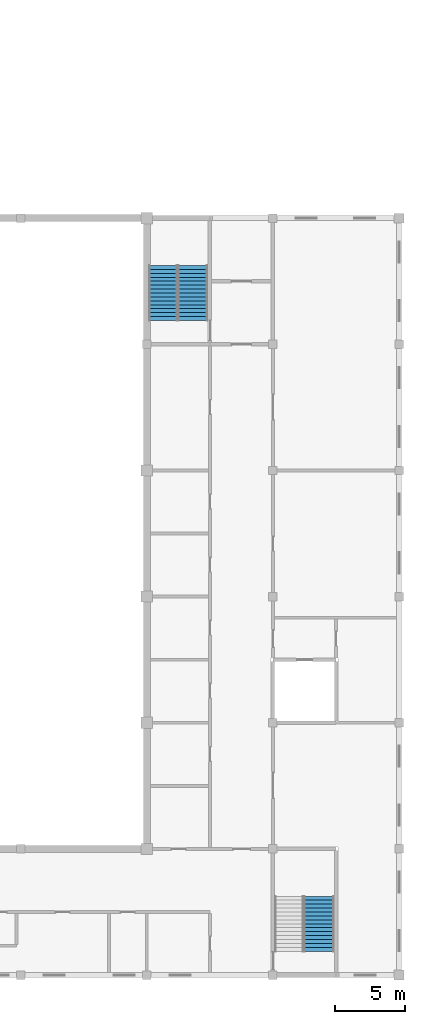
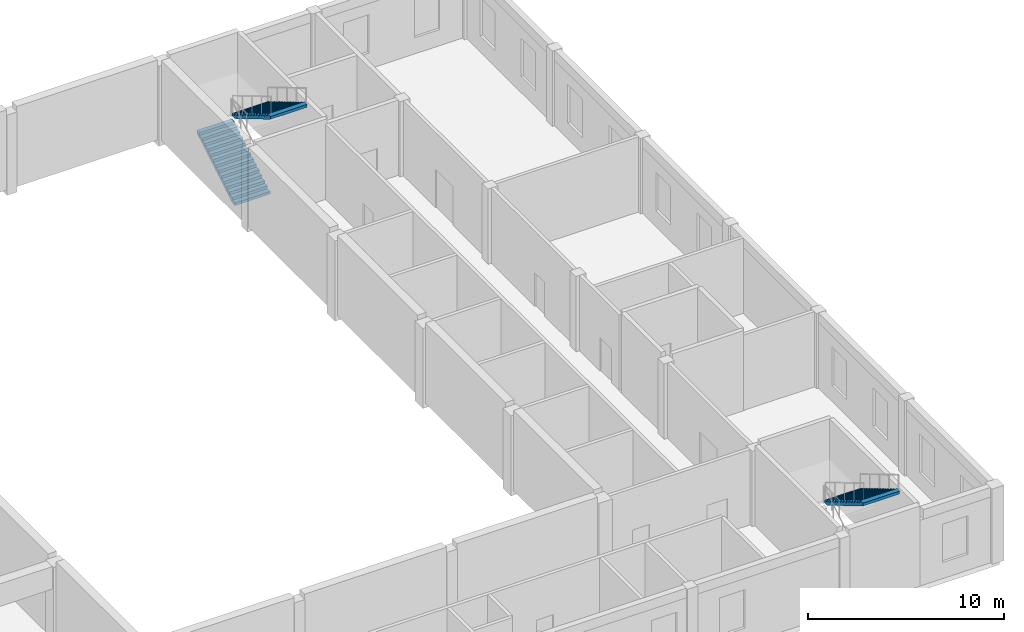
# One storey, part 25 of 30: 3 stair flights, 2 elements without a shape of their own.
"""IFC4 building model written with IfcOpenShell, lengths in metres."""

from ifc_helpers import new_model, si_unit, direction, frame, origin, place, context, subcontext, project, spatial, polyline, outline, extrude, material, layer, layer_set, type_object, element, aggregate, save


model = new_model("IFC4")

# Units and contexts
model_context = context("Model", 3, precision=1e-05, world=origin(), true_north=direction((0.0, 1.0)))
body_context = subcontext(model_context, "Body", "Model", "MODEL_VIEW")
ifc_project = project(units=[si_unit("LENGTHUNIT", "METRE"), si_unit("AREAUNIT", "SQUARE_METRE"), si_unit("VOLUMEUNIT", "CUBIC_METRE"), si_unit("PLANEANGLEUNIT", "RADIAN"), si_unit("MASSUNIT", "GRAM", prefix="KILO")], contexts=[model_context])

# Site, building, storey
site_placement = place(None, origin())
site = spatial("IfcSite", under=ifc_project, at=site_placement, CompositionType="ELEMENT")
building_placement = place(site_placement, origin())
building = spatial("IfcBuilding", under=site, at=building_placement, Name="Firuza Court", CompositionType="ELEMENT")
storey_placement = place(building_placement, frame((0.0, 0.0, 9.0)))
storey = spatial("IfcBuildingStorey", under=building, at=storey_placement, Name="L01", CompositionType="ELEMENT", Elevation=9.0)

# Stair, stair flight
ifc_material_1 = material(Name="Concrete C40/50", Category="concrete")
stair_type = type_object("IfcStairType", Name="HALL STAIR", PredefinedType="NOTDEFINED", material=ifc_material_1)
stair_1_placement = place(storey_placement, origin())
stair_1 = element("IfcStair", 1, at=stair_1_placement, inside=storey, type_object=stair_type, Name="Stair H2 L01", PredefinedType="NOTDEFINED")
ifc_material_2 = material(Name="Concrete C40/50", Category="concrete")
ifc_layer = layer(ifc_material_2, 0.14990234375)
ifc_layer_set = layer_set([ifc_layer], Name="Concrete C40/50")
stair_flight_type = type_object("IfcStairFlightType", Name="HALL STAIR FLIGHT", PredefinedType="STRAIGHT", material=ifc_layer_set)
stair_flight_1_placement = place(storey_placement, frame((147.28759765625, -3.3798828125, 2.5), z_axis=(0.0, 0.0, 1.0), x_axis=(0.0, -1.0, 0.0)))
stair_flight_1 = element("IfcStairFlight", 2, at=stair_flight_1_placement, type_object=stair_flight_type, Name="HS-2 flight 2", NumberOfRisers=15, NumberOfTreads=14, PredefinedType="STRAIGHT", RiserHeight=0.166666667, TreadLength=0.28, context=body_context, shape_type="SweptSolid", body=[
    extrude(outline(polyline([(0.0, 0.0), (0.0, 0.166748046875), (0.280029296875, 0.166748046875), (0.280029296875, 0.333251953125), (0.56005859375, 0.333251953125), (0.56005859375, 0.5), (0.840087890625, 0.5), (0.840087890625, 0.666748046875), (1.1201171875, 0.666748046875), (1.1201171875, 0.833251953125), (1.39990234375, 0.833251953125), (1.39990234375, 1.0), (1.679931640625, 1.0), (1.679931640625, 1.166748046875), (1.9599609375, 1.166748046875), (1.9599609375, 1.333251953125), (2.239990234375, 1.333251953125), (2.239990234375, 1.5), (2.52001953125, 1.5), (2.52001953125, 1.666748046875), (2.800048828125, 1.666748046875), (2.800048828125, 1.833251953125), (3.080078125, 1.833251953125), (3.080078125, 2.0), (3.360107421875, 2.0), (3.360107421875, 2.166748046875), (3.639892578125, 2.166748046875), (3.639892578125, 2.333251953125), (3.919921875, 2.333251953125), (3.919921875, 2.5), (3.919921875, 2.158935546875), (0.29296875, 0.0), (0.0, 0.0)])), frame((0.0, 1.08740234375, 0.0), z_axis=(0.0, -1.0, 0.0), x_axis=(1.0, 0.0, 0.0)), (0.0, 0.0, 1.0), 2.175048828125),
])
aggregate(stair_1, [stair_flight_1])

# Stair, stair flights
stair_2_placement = place(storey_placement, origin())
stair_2 = element("IfcStair", 3, at=stair_2_placement, inside=storey, type_object=stair_type, Name="Stair H4 L01", PredefinedType="NOTDEFINED")
stair_flight_2_placement = place(storey_placement, frame((136.16259765625, 37.699951171875, 0.0), z_axis=(0.0, 0.0, 1.0), x_axis=(0.0, 1.0, 0.0)))
stair_flight_2 = element("IfcStairFlight", 4, at=stair_flight_2_placement, type_object=stair_flight_type, Name="HS-4 flight 1", NumberOfRisers=15, NumberOfTreads=14, PredefinedType="STRAIGHT", RiserHeight=0.166666667, TreadLength=0.28, context=body_context, shape_type="SweptSolid", body=[
    extrude(outline(polyline([(0.0, 0.0), (0.0, 0.166748046875), (0.280029296875, 0.166748046875), (0.280029296875, 0.333251953125), (0.56005859375, 0.333251953125), (0.56005859375, 0.5), (0.840087890625, 0.5), (0.840087890625, 0.666748046875), (1.1201171875, 0.666748046875), (1.1201171875, 0.833251953125), (1.39990234375, 0.833251953125), (1.39990234375, 1.0), (1.679931640625, 1.0), (1.679931640625, 1.166748046875), (1.9599609375, 1.166748046875), (1.9599609375, 1.333251953125), (2.239990234375, 1.333251953125), (2.239990234375, 1.5), (2.52001953125, 1.5), (2.52001953125, 1.666748046875), (2.800048828125, 1.666748046875), (2.800048828125, 1.833251953125), (3.080078125, 1.833251953125), (3.080078125, 2.0), (3.360107421875, 2.0), (3.360107421875, 2.166748046875), (3.639892578125, 2.166748046875), (3.639892578125, 2.333251953125), (3.919921875, 2.333251953125), (3.919921875, 2.5), (3.919921875, 2.158935546875), (0.29296875, 0.0), (0.0, 0.0)])), frame((0.0, 1.03759765625, 0.0), z_axis=(0.0, -1.0, 0.0), x_axis=(1.0, 0.0, 0.0)), (0.0, 0.0, 1.0), 2.074951171875),
])
stair_flight_3_placement = place(storey_placement, frame((138.28759765625, 41.6201171875, 2.5), z_axis=(0.0, 0.0, 1.0), x_axis=(0.0, -1.0, 0.0)))
stair_flight_3 = element("IfcStairFlight", 5, at=stair_flight_3_placement, type_object=stair_flight_type, Name="HS-4 flight 2", NumberOfRisers=15, NumberOfTreads=14, PredefinedType="STRAIGHT", RiserHeight=0.166666667, TreadLength=0.28, context=body_context, shape_type="SweptSolid", body=[
    extrude(outline(polyline([(0.0, 0.0), (0.0, 0.166748046875), (0.280029296875, 0.166748046875), (0.280029296875, 0.333251953125), (0.56005859375, 0.333251953125), (0.56005859375, 0.5), (0.840087890625, 0.5), (0.840087890625, 0.666748046875), (1.1201171875, 0.666748046875), (1.1201171875, 0.833251953125), (1.39990234375, 0.833251953125), (1.39990234375, 1.0), (1.679931640625, 1.0), (1.679931640625, 1.166748046875), (1.9599609375, 1.166748046875), (1.9599609375, 1.333251953125), (2.239990234375, 1.333251953125), (2.239990234375, 1.5), (2.52001953125, 1.5), (2.52001953125, 1.666748046875), (2.800048828125, 1.666748046875), (2.800048828125, 1.833251953125), (3.080078125, 1.833251953125), (3.080078125, 2.0), (3.360107421875, 2.0), (3.360107421875, 2.166748046875), (3.639892578125, 2.166748046875), (3.639892578125, 2.333251953125), (3.919921875, 2.333251953125), (3.919921875, 2.5), (3.919921875, 2.158935546875), (0.29296875, 0.0), (0.0, 0.0)])), frame((0.0, 1.08740234375, 0.0), z_axis=(0.0, -1.0, 0.0), x_axis=(1.0, 0.0, 0.0)), (0.0, 0.0, 1.0), 2.175048828125),
])
aggregate(stair_2, [stair_flight_2, stair_flight_3])

save(model, "model.ifc")
